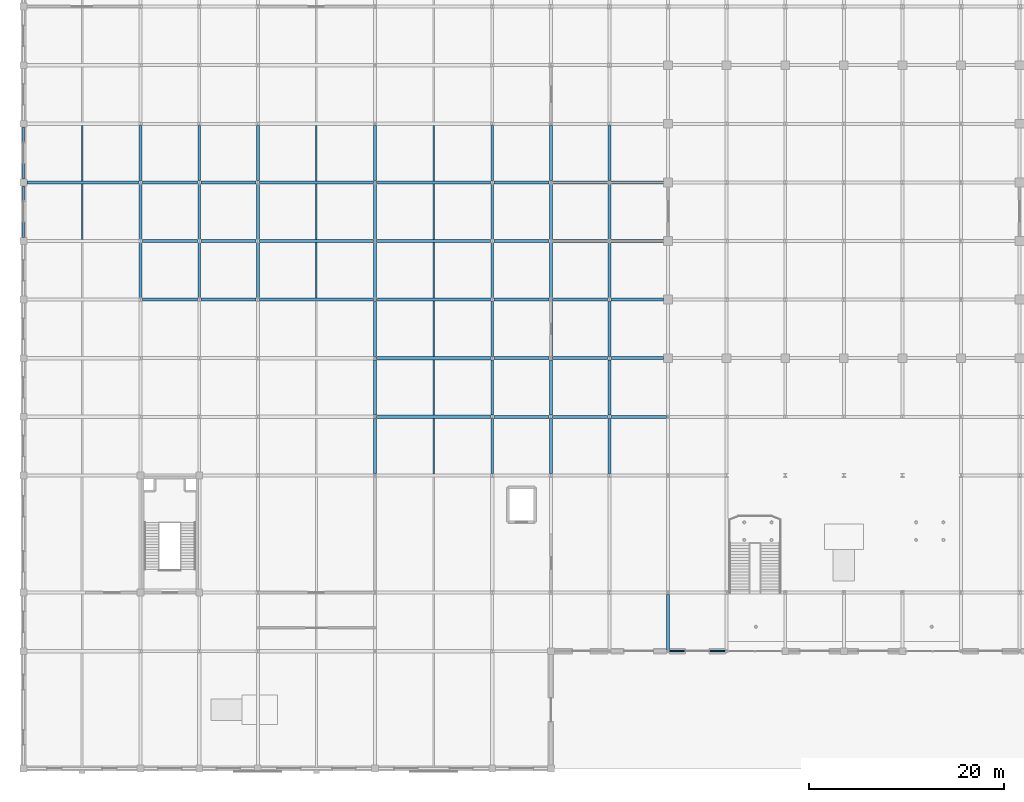
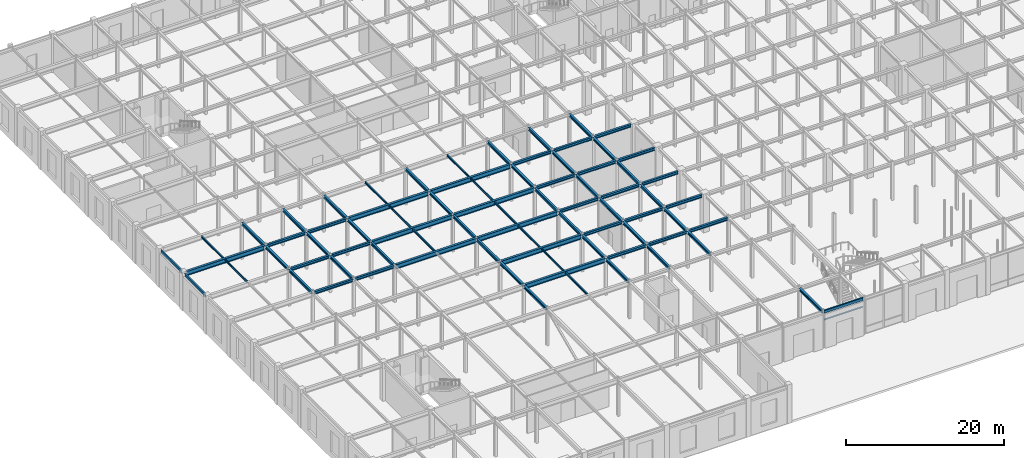
# One storey, part 29 of 51: 79 beams.
"""IFC4 building model written with IfcOpenShell, lengths in metres."""

from ifc_helpers import new_model, si_unit, direction, frame, origin, origin_2d, place, context, subcontext, project, spatial, i_section, extrude, material, material_profile, profile_set, type_object, element, save


model = new_model("IFC4")

# Units and contexts
model_context = context("Model", 3, precision=1e-05, world=origin(), true_north=direction((0.0, 1.0)))
body_context = subcontext(model_context, "Body", "Model", "MODEL_VIEW")
ifc_project = project(units=[si_unit("LENGTHUNIT", "METRE"), si_unit("AREAUNIT", "SQUARE_METRE"), si_unit("VOLUMEUNIT", "CUBIC_METRE"), si_unit("PLANEANGLEUNIT", "RADIAN"), si_unit("MASSUNIT", "GRAM", prefix="KILO")], contexts=[model_context])

# Site, building, storey
site_placement = place(None, origin())
site = spatial("IfcSite", under=ifc_project, at=site_placement, CompositionType="ELEMENT")
building_placement = place(site_placement, origin())
building = spatial("IfcBuilding", under=site, at=building_placement, Name="Zlatovratsky Civic Hall", CompositionType="ELEMENT")
storey_placement = place(building_placement, origin())
storey = spatial("IfcBuildingStorey", under=building, at=storey_placement, Name="L01", CompositionType="ELEMENT", Elevation=0.0)

# Beams
ifc_material = material(Name="Steel S355", Category="steel")
ifc_material_profile_1 = material_profile(ifc_material, i_section(OverallWidth=0.320068359375, OverallDepth=0.68310546875, WebThickness=0.012939453125, FlangeThickness=0.01904296875, FilletRadius=0.02587890625, at=origin_2d()), Name="70Sh1")
ifc_profile_set_1 = profile_set([ifc_material_profile_1], Name="Steel S355")
beam_type_1 = type_object("IfcBeamType", Name="Beam_HallGirder_70Sh1", PredefinedType="BEAM", material=ifc_profile_set_1)
for number, where, z_axis, x_axis, name in (
    (1, (36.175048828125, 36.0, 5.41845703125), (1.0, 0.0, 0.0), (0.0, 1.0, 0.0), "BM-0947"),
    (2, (36.175048828125, 42.0, 5.41845703125), (1.0, 0.0, 0.0), (0.0, 1.0, 0.0), "BM-0969"),
    (3, (24.175048828125, 48.0, 5.41845703125), (1.0, 0.0, 0.0), (0.0, 1.0, 0.0), "BM-0990"),
    (4, (36.175048828125, 48.0, 5.41845703125), (1.0, 0.0, 0.0), (0.0, 1.0, 0.0), "BM-0991"),
    (5, (24.175048828125, 54.0, 5.41845703125), (1.0, 0.0, 0.0), (0.0, 1.0, 0.0), "BM-1012"),
    (6, (36.175048828125, 54.0, 5.41845703125), (1.0, 0.0, 0.0), (0.0, 1.0, 0.0), "BM-1013"),
):
    element("IfcBeam", number, at=place(storey_placement, frame(where, z_axis=z_axis, x_axis=x_axis)), inside=storey, type_object=beam_type_1, Name=name, PredefinedType="BEAM", context=body_context, shape_type="SweptSolid", body=[
        extrude(i_section(OverallWidth=0.320068359375, OverallDepth=0.68310546875, WebThickness=0.012939453125, FlangeThickness=0.01904296875, FilletRadius=0.02587890625, at=origin_2d()), origin(), (0.0, 0.0, 1.0), 11.64990234375),
    ])
beam_1_placement = place(storey_placement, frame((0.35009765625, 60.0, 5.41845703125), z_axis=(1.0, 0.0, 0.0), x_axis=(0.0, 1.0, 0.0)))
element("IfcBeam", 7, at=beam_1_placement, inside=storey, type_object=beam_type_1, Name="BM-1031", PredefinedType="BEAM", context=body_context, shape_type="SweptSolid", body=[
    extrude(i_section(OverallWidth=0.320068359375, OverallDepth=0.68310546875, WebThickness=0.012939453125, FlangeThickness=0.01904296875, FilletRadius=0.02587890625, at=origin_2d()), origin(), (0.0, 0.0, 1.0), 11.474853515625),
])
for number, where, z_axis, x_axis, name in (
    (8, (24.175048828125, 60.0, 5.41845703125), (1.0, 0.0, 0.0), (0.0, 1.0, 0.0), "BM-1034"),
    (9, (36.175048828125, 60.0, 5.41845703125), (1.0, 0.0, 0.0), (0.0, 1.0, 0.0), "BM-1035"),
):
    element("IfcBeam", number, at=place(storey_placement, frame(where, z_axis=z_axis, x_axis=x_axis)), inside=storey, type_object=beam_type_1, Name=name, PredefinedType="BEAM", context=body_context, shape_type="SweptSolid", body=[
        extrude(i_section(OverallWidth=0.320068359375, OverallDepth=0.68310546875, WebThickness=0.012939453125, FlangeThickness=0.01904296875, FilletRadius=0.02587890625, at=origin_2d()), origin(), (0.0, 0.0, 1.0), 11.64990234375),
    ])
ifc_material_profile_2 = material_profile(ifc_material, i_section(OverallWidth=0.198974609375, OverallDepth=0.491943359375, WebThickness=0.0087890625, FlangeThickness=0.011962890625, FilletRadius=0.01611328125, at=origin_2d()), Name="50B1")
ifc_profile_set_2 = profile_set([ifc_material_profile_2], Name="Steel S355")
beam_type_2 = type_object("IfcBeamType", Name="Beam_Spandrel_50B1", PredefinedType="SPANDREL", material=ifc_profile_set_2)
beam_2_placement = place(storey_placement, frame((66.136474609375, 12.0, 5.513916015625), z_axis=(1.0, 0.0, 0.0), x_axis=(0.0, 1.0, 0.0)))
element("IfcBeam", 10, at=beam_2_placement, inside=storey, type_object=beam_type_2, Name="BM-0889", PredefinedType="SPANDREL", context=body_context, shape_type="SweptSolid", body=[
    extrude(i_section(OverallWidth=0.198974609375, OverallDepth=0.491943359375, WebThickness=0.0087890625, FlangeThickness=0.011962890625, FilletRadius=0.01611328125, at=origin_2d()), origin(), (0.0, 0.0, 1.0), 5.72705078125),
])
for number, where, z_axis, x_axis, name in (
    (11, (0.0, 54.35009765625, 5.513916015625), (0.0, 1.0, 0.0), (-1.0, 0.0, 0.0), "BM-1254"),
    (12, (0.0, 60.35009765625, 5.513916015625), (0.0, 1.0, 0.0), (-1.0, 0.0, 0.0), "BM-1255"),
):
    element("IfcBeam", number, at=place(storey_placement, frame(where, z_axis=z_axis, x_axis=x_axis)), inside=storey, type_object=beam_type_2, Name=name, PredefinedType="SPANDREL", context=body_context, shape_type="SweptSolid", body=[
        extrude(i_section(OverallWidth=0.198974609375, OverallDepth=0.491943359375, WebThickness=0.0087890625, FlangeThickness=0.011962890625, FilletRadius=0.01611328125, at=origin_2d()), origin(), (0.0, 0.0, 1.0), 5.2998046875),
    ])
ifc_material_profile_3 = material_profile(ifc_material, i_section(OverallWidth=0.300048828125, OverallDepth=0.43994140625, WebThickness=0.010986328125, FlangeThickness=0.01806640625, FilletRadius=0.02197265625, at=origin_2d()), Name="45Sh1")
ifc_profile_set_3 = profile_set([ifc_material_profile_3], Name="Steel S355")
beam_type_3 = type_object("IfcBeamType", Name="Beam_TowerLow_45Sh1", PredefinedType="BEAM", material=ifc_profile_set_3)
for number, where, z_axis, x_axis, name in (
    (13, (48.175048828125, 36.0, 5.5400390625), (1.0, 0.0, 0.0), (0.0, 1.0, 0.0), "BM-0948"),
    (14, (54.175048828125, 36.0, 5.5400390625), (1.0, 0.0, 0.0), (0.0, 1.0, 0.0), "BM-0949"),
    (15, (60.175048828125, 36.0, 5.5400390625), (1.0, 0.0, 0.0), (0.0, 1.0, 0.0), "BM-0950"),
    (16, (48.175048828125, 42.0, 5.5400390625), (1.0, 0.0, 0.0), (0.0, 1.0, 0.0), "BM-0970"),
    (17, (54.175048828125, 42.0, 5.5400390625), (1.0, 0.0, 0.0), (0.0, 1.0, 0.0), "BM-0971"),
):
    element("IfcBeam", number, at=place(storey_placement, frame(where, z_axis=z_axis, x_axis=x_axis)), inside=storey, type_object=beam_type_3, Name=name, PredefinedType="BEAM", context=body_context, shape_type="SweptSolid", body=[
        extrude(i_section(OverallWidth=0.300048828125, OverallDepth=0.43994140625, WebThickness=0.010986328125, FlangeThickness=0.01806640625, FilletRadius=0.02197265625, at=origin_2d()), origin(), (0.0, 0.0, 1.0), 5.64990234375),
    ])
beam_3_placement = place(storey_placement, frame((60.175048828125, 42.0, 5.5400390625), z_axis=(1.0, 0.0, 0.0), x_axis=(0.0, 1.0, 0.0)))
element("IfcBeam", 18, at=beam_3_placement, inside=storey, type_object=beam_type_3, Name="BM-0972", PredefinedType="BEAM", context=body_context, shape_type="SweptSolid", body=[
    extrude(i_section(OverallWidth=0.300048828125, OverallDepth=0.43994140625, WebThickness=0.010986328125, FlangeThickness=0.01806640625, FilletRadius=0.02197265625, at=origin_2d()), origin(), (0.0, 0.0, 1.0), 5.375),
])
for number, where, z_axis, x_axis, name in (
    (19, (12.175048828125, 48.0, 5.5400390625), (1.0, 0.0, 0.0), (0.0, 1.0, 0.0), "BM-0988"),
    (20, (18.175048828125, 48.0, 5.5400390625), (1.0, 0.0, 0.0), (0.0, 1.0, 0.0), "BM-0989"),
    (21, (48.175048828125, 48.0, 5.5400390625), (1.0, 0.0, 0.0), (0.0, 1.0, 0.0), "BM-0992"),
    (22, (54.175048828125, 48.0, 5.5400390625), (1.0, 0.0, 0.0), (0.0, 1.0, 0.0), "BM-0993"),
):
    element("IfcBeam", number, at=place(storey_placement, frame(where, z_axis=z_axis, x_axis=x_axis)), inside=storey, type_object=beam_type_3, Name=name, PredefinedType="BEAM", context=body_context, shape_type="SweptSolid", body=[
        extrude(i_section(OverallWidth=0.300048828125, OverallDepth=0.43994140625, WebThickness=0.010986328125, FlangeThickness=0.01806640625, FilletRadius=0.02197265625, at=origin_2d()), origin(), (0.0, 0.0, 1.0), 5.64990234375),
    ])
beam_4_placement = place(storey_placement, frame((60.175048828125, 48.0, 5.5400390625), z_axis=(1.0, 0.0, 0.0), x_axis=(0.0, 1.0, 0.0)))
element("IfcBeam", 23, at=beam_4_placement, inside=storey, type_object=beam_type_3, Name="BM-0994", PredefinedType="BEAM", context=body_context, shape_type="SweptSolid", body=[
    extrude(i_section(OverallWidth=0.300048828125, OverallDepth=0.43994140625, WebThickness=0.010986328125, FlangeThickness=0.01806640625, FilletRadius=0.02197265625, at=origin_2d()), origin(), (0.0, 0.0, 1.0), 5.375),
])
for number, where, z_axis, x_axis, name in (
    (24, (12.175048828125, 54.0, 5.5400390625), (1.0, 0.0, 0.0), (0.0, 1.0, 0.0), "BM-1010"),
    (25, (18.175048828125, 54.0, 5.5400390625), (1.0, 0.0, 0.0), (0.0, 1.0, 0.0), "BM-1011"),
    (26, (48.175048828125, 54.0, 5.5400390625), (1.0, 0.0, 0.0), (0.0, 1.0, 0.0), "BM-1014"),
    (27, (54.175048828125, 54.0, 5.5400390625), (1.0, 0.0, 0.0), (0.0, 1.0, 0.0), "BM-1015"),
):
    element("IfcBeam", number, at=place(storey_placement, frame(where, z_axis=z_axis, x_axis=x_axis)), inside=storey, type_object=beam_type_3, Name=name, PredefinedType="BEAM", context=body_context, shape_type="SweptSolid", body=[
        extrude(i_section(OverallWidth=0.300048828125, OverallDepth=0.43994140625, WebThickness=0.010986328125, FlangeThickness=0.01806640625, FilletRadius=0.02197265625, at=origin_2d()), origin(), (0.0, 0.0, 1.0), 5.64990234375),
    ])
beam_5_placement = place(storey_placement, frame((60.175048828125, 54.0, 5.5400390625), z_axis=(1.0, 0.0, 0.0), x_axis=(0.0, 1.0, 0.0)))
element("IfcBeam", 28, at=beam_5_placement, inside=storey, type_object=beam_type_3, Name="BM-1016", PredefinedType="BEAM", context=body_context, shape_type="SweptSolid", body=[
    extrude(i_section(OverallWidth=0.300048828125, OverallDepth=0.43994140625, WebThickness=0.010986328125, FlangeThickness=0.01806640625, FilletRadius=0.02197265625, at=origin_2d()), origin(), (0.0, 0.0, 1.0), 5.375),
])
for number, where, z_axis, x_axis, name in (
    (29, (12.175048828125, 60.0, 5.5400390625), (1.0, 0.0, 0.0), (0.0, 1.0, 0.0), "BM-1032"),
    (30, (18.175048828125, 60.0, 5.5400390625), (1.0, 0.0, 0.0), (0.0, 1.0, 0.0), "BM-1033"),
    (31, (48.175048828125, 60.0, 5.5400390625), (1.0, 0.0, 0.0), (0.0, 1.0, 0.0), "BM-1036"),
    (32, (54.175048828125, 60.0, 5.5400390625), (1.0, 0.0, 0.0), (0.0, 1.0, 0.0), "BM-1037"),
):
    element("IfcBeam", number, at=place(storey_placement, frame(where, z_axis=z_axis, x_axis=x_axis)), inside=storey, type_object=beam_type_3, Name=name, PredefinedType="BEAM", context=body_context, shape_type="SweptSolid", body=[
        extrude(i_section(OverallWidth=0.300048828125, OverallDepth=0.43994140625, WebThickness=0.010986328125, FlangeThickness=0.01806640625, FilletRadius=0.02197265625, at=origin_2d()), origin(), (0.0, 0.0, 1.0), 5.64990234375),
    ])
beam_6_placement = place(storey_placement, frame((60.175048828125, 60.0, 5.5400390625), z_axis=(1.0, 0.0, 0.0), x_axis=(0.0, 1.0, 0.0)))
element("IfcBeam", 33, at=beam_6_placement, inside=storey, type_object=beam_type_3, Name="BM-1038", PredefinedType="BEAM", context=body_context, shape_type="SweptSolid", body=[
    extrude(i_section(OverallWidth=0.300048828125, OverallDepth=0.43994140625, WebThickness=0.010986328125, FlangeThickness=0.01806640625, FilletRadius=0.02197265625, at=origin_2d()), origin(), (0.0, 0.0, 1.0), 5.375),
])
for number, where, z_axis, x_axis, name in (
    (34, (12.0, 48.17138671875, 5.5400390625), (0.0, 1.0, 0.0), (-1.0, 0.0, 0.0), "BM-1270"),
    (35, (12.0, 54.17138671875, 5.5400390625), (0.0, 1.0, 0.0), (-1.0, 0.0, 0.0), "BM-1271"),
    (36, (12.0, 60.17138671875, 5.5400390625), (0.0, 1.0, 0.0), (-1.0, 0.0, 0.0), "BM-1272"),
    (37, (18.0, 48.17138671875, 5.5400390625), (0.0, 1.0, 0.0), (-1.0, 0.0, 0.0), "BM-1287"),
    (38, (18.0, 54.17138671875, 5.5400390625), (0.0, 1.0, 0.0), (-1.0, 0.0, 0.0), "BM-1288"),
    (39, (18.0, 60.17138671875, 5.5400390625), (0.0, 1.0, 0.0), (-1.0, 0.0, 0.0), "BM-1289"),
    (40, (24.0, 48.17138671875, 5.5400390625), (0.0, 1.0, 0.0), (-1.0, 0.0, 0.0), "BM-1304"),
    (41, (24.0, 54.17138671875, 5.5400390625), (0.0, 1.0, 0.0), (-1.0, 0.0, 0.0), "BM-1305"),
    (42, (24.0, 60.17138671875, 5.5400390625), (0.0, 1.0, 0.0), (-1.0, 0.0, 0.0), "BM-1306"),
    (43, (36.0, 30.17138671875, 5.5400390625), (0.0, 1.0, 0.0), (-1.0, 0.0, 0.0), "BM-1318"),
    (44, (36.0, 36.17138671875, 5.5400390625), (0.0, 1.0, 0.0), (-1.0, 0.0, 0.0), "BM-1319"),
    (45, (36.0, 42.17138671875, 5.5400390625), (0.0, 1.0, 0.0), (-1.0, 0.0, 0.0), "BM-1320"),
    (46, (36.0, 48.17138671875, 5.5400390625), (0.0, 1.0, 0.0), (-1.0, 0.0, 0.0), "BM-1321"),
    (47, (36.0, 54.17138671875, 5.5400390625), (0.0, 1.0, 0.0), (-1.0, 0.0, 0.0), "BM-1322"),
    (48, (36.0, 60.17138671875, 5.5400390625), (0.0, 1.0, 0.0), (-1.0, 0.0, 0.0), "BM-1323"),
    (49, (48.0, 30.17138671875, 5.5400390625), (0.0, 1.0, 0.0), (-1.0, 0.0, 0.0), "BM-1335"),
    (50, (48.0, 36.17138671875, 5.5400390625), (0.0, 1.0, 0.0), (-1.0, 0.0, 0.0), "BM-1336"),
    (51, (48.0, 42.17138671875, 5.5400390625), (0.0, 1.0, 0.0), (-1.0, 0.0, 0.0), "BM-1337"),
    (52, (48.0, 48.17138671875, 5.5400390625), (0.0, 1.0, 0.0), (-1.0, 0.0, 0.0), "BM-1338"),
    (53, (48.0, 54.17138671875, 5.5400390625), (0.0, 1.0, 0.0), (-1.0, 0.0, 0.0), "BM-1339"),
    (54, (48.0, 60.17138671875, 5.5400390625), (0.0, 1.0, 0.0), (-1.0, 0.0, 0.0), "BM-1340"),
    (55, (54.0, 30.17138671875, 5.5400390625), (0.0, 1.0, 0.0), (-1.0, 0.0, 0.0), "BM-1352"),
    (56, (54.0, 36.17138671875, 5.5400390625), (0.0, 1.0, 0.0), (-1.0, 0.0, 0.0), "BM-1353"),
    (57, (54.0, 42.17138671875, 5.5400390625), (0.0, 1.0, 0.0), (-1.0, 0.0, 0.0), "BM-1354"),
    (58, (54.0, 48.17138671875, 5.5400390625), (0.0, 1.0, 0.0), (-1.0, 0.0, 0.0), "BM-1355"),
    (59, (54.0, 54.17138671875, 5.5400390625), (0.0, 1.0, 0.0), (-1.0, 0.0, 0.0), "BM-1356"),
    (60, (54.0, 60.17138671875, 5.5400390625), (0.0, 1.0, 0.0), (-1.0, 0.0, 0.0), "BM-1357"),
    (61, (60.0, 30.17138671875, 5.5400390625), (0.0, 1.0, 0.0), (-1.0, 0.0, 0.0), "BM-1368"),
    (62, (60.0, 36.17138671875, 5.5400390625), (0.0, 1.0, 0.0), (-1.0, 0.0, 0.0), "BM-1369"),
    (63, (60.0, 42.17138671875, 5.5400390625), (0.0, 1.0, 0.0), (-1.0, 0.0, 0.0), "BM-1370"),
    (64, (60.0, 48.17138671875, 5.5400390625), (0.0, 1.0, 0.0), (-1.0, 0.0, 0.0), "BM-1371"),
    (65, (60.0, 54.17138671875, 5.5400390625), (0.0, 1.0, 0.0), (-1.0, 0.0, 0.0), "BM-1372"),
    (66, (60.0, 60.17138671875, 5.5400390625), (0.0, 1.0, 0.0), (-1.0, 0.0, 0.0), "BM-1373"),
):
    element("IfcBeam", number, at=place(storey_placement, frame(where, z_axis=z_axis, x_axis=x_axis)), inside=storey, type_object=beam_type_3, Name=name, PredefinedType="BEAM", context=body_context, shape_type="SweptSolid", body=[
        extrude(i_section(OverallWidth=0.300048828125, OverallDepth=0.43994140625, WebThickness=0.010986328125, FlangeThickness=0.01806640625, FilletRadius=0.02197265625, at=origin_2d()), origin(), (0.0, 0.0, 1.0), 5.6572265625),
    ])
beam_7_placement = place(storey_placement, frame((66.0, 12.136474609375, 5.5400390625), z_axis=(0.0, 1.0, 0.0), x_axis=(-1.0, 0.0, 0.0)))
element("IfcBeam", 67, at=beam_7_placement, inside=storey, type_object=beam_type_3, Name="BM-1382", PredefinedType="BEAM", context=body_context, shape_type="SweptSolid", body=[
    extrude(i_section(OverallWidth=0.300048828125, OverallDepth=0.43994140625, WebThickness=0.010986328125, FlangeThickness=0.01806640625, FilletRadius=0.02197265625, at=origin_2d()), origin(), (0.0, 0.0, 1.0), 5.692138671875),
])
ifc_material_profile_4 = material_profile(ifc_material, i_section(OverallWidth=0.14990234375, OverallDepth=0.300048828125, WebThickness=0.006591796875, FlangeThickness=0.009033203125, FilletRadius=0.012939453125, at=origin_2d()), Name="30B2")
ifc_profile_set_4 = profile_set([ifc_material_profile_4], Name="Steel S355")
beam_type_4 = type_object("IfcBeamType", Name="Joist_Podium_30B2", PredefinedType="JOIST", material=ifc_profile_set_4)
for number, where, z_axis, x_axis, name in (
    (68, (42.0, 30.159912109375, 5.610107421875), (0.0, 1.0, 0.0), (-1.0, 0.0, 0.0), "BM-1643"),
    (69, (42.0, 36.159912109375, 5.610107421875), (0.0, 1.0, 0.0), (-1.0, 0.0, 0.0), "BM-1649"),
    (70, (42.0, 42.159912109375, 5.610107421875), (0.0, 1.0, 0.0), (-1.0, 0.0, 0.0), "BM-1655"),
    (71, (30.0, 48.159912109375, 5.610107421875), (0.0, 1.0, 0.0), (-1.0, 0.0, 0.0), "BM-1660"),
    (72, (42.0, 48.159912109375, 5.610107421875), (0.0, 1.0, 0.0), (-1.0, 0.0, 0.0), "BM-1661"),
    (73, (6.0, 54.159912109375, 5.610107421875), (0.0, 1.0, 0.0), (-1.0, 0.0, 0.0), "BM-1665"),
    (74, (30.0, 54.159912109375, 5.610107421875), (0.0, 1.0, 0.0), (-1.0, 0.0, 0.0), "BM-1666"),
    (75, (42.0, 54.159912109375, 5.610107421875), (0.0, 1.0, 0.0), (-1.0, 0.0, 0.0), "BM-1667"),
    (76, (6.0, 60.159912109375, 5.610107421875), (0.0, 1.0, 0.0), (-1.0, 0.0, 0.0), "BM-1671"),
    (77, (30.0, 60.159912109375, 5.610107421875), (0.0, 1.0, 0.0), (-1.0, 0.0, 0.0), "BM-1672"),
    (78, (42.0, 60.159912109375, 5.610107421875), (0.0, 1.0, 0.0), (-1.0, 0.0, 0.0), "BM-1673"),
):
    element("IfcBeam", number, at=place(storey_placement, frame(where, z_axis=z_axis, x_axis=x_axis)), inside=storey, type_object=beam_type_4, Name=name, PredefinedType="JOIST", context=body_context, shape_type="SweptSolid", body=[
        extrude(i_section(OverallWidth=0.14990234375, OverallDepth=0.300048828125, WebThickness=0.006591796875, FlangeThickness=0.009033203125, FilletRadius=0.012939453125, at=origin_2d()), origin(), (0.0, 0.0, 1.0), 5.68017578125),
    ])
ifc_material_profile_5 = material_profile(ifc_material, i_section(OverallWidth=0.10009765625, OverallDepth=0.199951171875, WebThickness=0.005615234375, FlangeThickness=0.008544921875, FilletRadius=0.011962890625, at=origin_2d()), Name="20B1")
ifc_profile_set_5 = profile_set([ifc_material_profile_5], Name="Steel S355")
beam_type_5 = type_object("IfcBeamType", Name="Lintel_Arcade_20B1", PredefinedType="LINTEL", material=ifc_profile_set_5)
beam_8_placement = place(storey_placement, frame((66.136474609375, 12.0, 4.300048828125), z_axis=(1.0, 0.0, 0.0), x_axis=(0.0, 1.0, 0.0)))
element("IfcBeam", 79, at=beam_8_placement, inside=storey, type_object=beam_type_5, Name="BM-5395", PredefinedType="LINTEL", context=body_context, shape_type="SweptSolid", body=[
    extrude(i_section(OverallWidth=0.10009765625, OverallDepth=0.199951171875, WebThickness=0.005615234375, FlangeThickness=0.008544921875, FilletRadius=0.011962890625, at=origin_2d()), origin(), (0.0, 0.0, 1.0), 5.72705078125),
])

save(model, "model.ifc")
